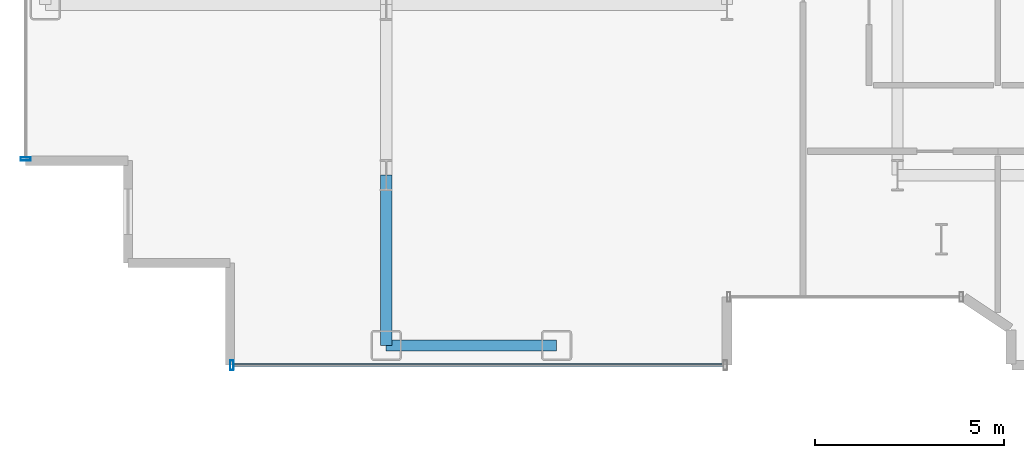
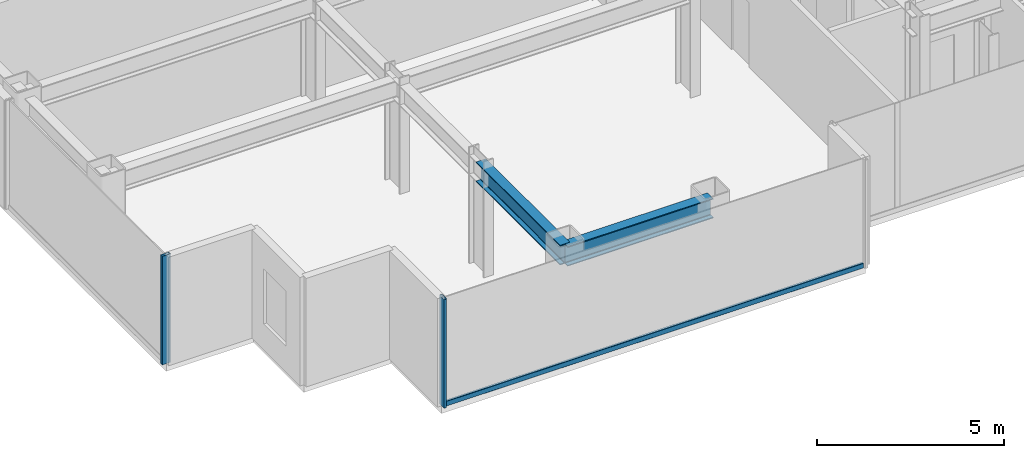
# One storey, part 3 of 26: 3 members, 2 beams, 2 elements without a shape of their own.
"""IFC4 building model written with IfcOpenShell, lengths in metres."""

from ifc_helpers import new_model, si_unit, direction, frame, origin, origin_2d, place, context, subcontext, project, spatial, hollow_rectangle, i_section, extrude, source, transform, mapped, material, layer, layer_set, material_profile, profile_set, type_object, element, aggregate, save


model = new_model("IFC4")

# Units and contexts
model_context = context("Model", 3, precision=1e-05, world=origin(), true_north=direction((0.0, 1.0)))
body_context = subcontext(model_context, "Body", "Model", "MODEL_VIEW")
ifc_project = project(units=[si_unit("LENGTHUNIT", "METRE"), si_unit("AREAUNIT", "SQUARE_METRE"), si_unit("VOLUMEUNIT", "CUBIC_METRE"), si_unit("PLANEANGLEUNIT", "RADIAN"), si_unit("MASSUNIT", "GRAM", prefix="KILO")], contexts=[model_context])

# Site, building, storey
site_placement = place(None, origin())
site = spatial("IfcSite", under=ifc_project, at=site_placement, CompositionType="ELEMENT")
building_placement = place(site_placement, origin())
building = spatial("IfcBuilding", under=site, at=building_placement, Name="Nefas-Gora Pilgrimage Tower", CompositionType="ELEMENT")
storey_placement = place(building_placement, frame((0.0, 0.0, 160.199951171875)))
storey = spatial("IfcBuildingStorey", under=building, at=storey_placement, Name="L39", CompositionType="ELEMENT", Elevation=160.199951171875)

# Beams
ifc_material_1 = material(Name="Steel S355", Category="steel")
ifc_material_profile_1 = material_profile(ifc_material_1, i_section(OverallWidth=0.300048828125, OverallDepth=0.64990234375, WebThickness=0.01611328125, FlangeThickness=0.031005859375, FilletRadius=0.027099609375, at=origin_2d()), Name="HEB 650")
ifc_profile_set_1 = profile_set([ifc_material_profile_1], Name="Steel S355")
beam_type_1 = type_object("IfcBeamType", Name="BM-SPN-HEB500", PredefinedType="SPANDREL", material=ifc_profile_set_1)
shared_shape_1 = source(origin(), body_context, "Body", "SweptSolid", [
    extrude(i_section(OverallWidth=0.300048828125, OverallDepth=0.64990234375, WebThickness=0.01611328125, FlangeThickness=0.031005859375, FilletRadius=0.027099609375, at=origin_2d()), origin(), (0.0, 0.0, 1.0), 4.5),
])
beam_1_placement = place(storey_placement, frame((-24.75, -22.5, 3.22509765625), z_axis=(1.0, 0.0, 0.0), x_axis=(0.0, 1.0, 0.0)))
element("IfcBeam", 1, at=beam_1_placement, inside=storey, type_object=beam_type_1, Name="L39 SP-02 beam", PredefinedType="SPANDREL", context=body_context, shape_type="MappedRepresentation", body=[
    mapped(shared_shape_1, transform((0.0, 0.0, 0.0), x_axis=(1.0, 0.0, 0.0), y_axis=(0.0, 1.0, 0.0), z_axis=(0.0, 0.0, 1.0), scale=1.0)),
])
ifc_material_profile_2 = material_profile(ifc_material_1, i_section(OverallWidth=0.300048828125, OverallDepth=0.64990234375, WebThickness=0.01611328125, FlangeThickness=0.031005859375, FilletRadius=0.027099609375, at=origin_2d()), Name="HEB 650")
ifc_profile_set_2 = profile_set([ifc_material_profile_2], Name="Steel S355")
beam_type_2 = type_object("IfcBeamType", Name="BM-GIR-HEB650", PredefinedType="BEAM", material=ifc_profile_set_2)
shared_shape_2 = source(origin(), body_context, "Body", "SweptSolid", [
    extrude(i_section(OverallWidth=0.300048828125, OverallDepth=0.64990234375, WebThickness=0.01611328125, FlangeThickness=0.031005859375, FilletRadius=0.027099609375, at=origin_2d()), origin(), (0.0, 0.0, 1.0), 4.5),
])
beam_2_placement = place(storey_placement, frame((-24.75, -22.5, 3.22509765625), z_axis=(0.0, 1.0, 0.0), x_axis=(-1.0, 0.0, 0.0)))
element("IfcBeam", 2, at=beam_2_placement, inside=storey, type_object=beam_type_2, Name="L39 G-03 beam", PredefinedType="BEAM", context=body_context, shape_type="MappedRepresentation", body=[
    mapped(shared_shape_2, transform((0.0, 0.0, 0.0), x_axis=(1.0, 0.0, 0.0), y_axis=(0.0, 1.0, 0.0), z_axis=(0.0, 0.0, 1.0), scale=1.0)),
])

# Curtain wall, member
ifc_material_2 = material(Name="Dark ceramic-fritted solar-control aluminium-glass curtain wall", Category="aluminium")
ifc_layer = layer(ifc_material_2, 0.219970703125)
ifc_layer_set = layer_set([ifc_layer], Name="Dark ceramic-fritted solar-control aluminium-glass curtain wall")
curtain_wall_type = type_object("IfcCurtainWallType", Name="CW-SYS-3", PredefinedType="NOTDEFINED", material=ifc_layer_set)
curtain_wall_1_placement = place(storey_placement, origin())
curtain_wall_1 = element("IfcCurtainWall", 3, at=curtain_wall_1_placement, inside=storey, type_object=curtain_wall_type, Name="L39 Unitised Curtain Wall CW3", PredefinedType="NOTDEFINED")
ifc_material_3 = material(Name="Anodised architectural aluminium", Category="aluminium")
ifc_material_profile_3 = material_profile(ifc_material_3, hollow_rectangle(XDim=0.090087890625, YDim=0.260009765625, WallThickness=0.006103515625, InnerFilletRadius=0.006103515625, OuterFilletRadius=0.011962890625, at=origin_2d()), Name="ALU MULLION 90x260")
ifc_profile_set_3 = profile_set([ifc_material_profile_3], Name="Anodised architectural aluminium")
member_type_1 = type_object("IfcMemberType", Name="CWM-MUL-3", PredefinedType="MULLION", material=ifc_profile_set_3)
shared_shape_3 = source(origin(), body_context, "Body", "SweptSolid", [
    extrude(hollow_rectangle(XDim=0.090087890625, YDim=0.260009765625, WallThickness=0.006103515625, InnerFilletRadius=0.006103515625, OuterFilletRadius=0.011962890625, at=origin_2d()), origin(), (0.0, 0.0, 1.0), 3.550048828125),
])
member_1_placement = place(storey_placement, frame((-34.27001953125, -17.574951171875, 0.0), z_axis=(0.0, 0.0, 1.0), x_axis=(0.0, -1.0, 0.0)))
member_1 = element("IfcMember", 4, at=member_1_placement, type_object=member_type_1, Name="CW3 Mullion 2", PredefinedType="MULLION", context=body_context, shape_type="MappedRepresentation", body=[
    mapped(shared_shape_3, transform((0.0, 0.0, 0.0), x_axis=(1.0, 0.0, 0.0), y_axis=(0.0, 1.0, 0.0), z_axis=(0.0, 0.0, 1.0), scale=1.0)),
])
aggregate(curtain_wall_1, [member_1])

# Curtain wall, members
curtain_wall_2_placement = place(storey_placement, origin())
curtain_wall_2 = element("IfcCurtainWall", 5, at=curtain_wall_2_placement, inside=storey, type_object=curtain_wall_type, Name="L39 Unitised Curtain Wall CW3", PredefinedType="NOTDEFINED")
member_2_placement = place(storey_placement, frame((-28.824951171875, -23.02001953125, 0.0), z_axis=(0.0, 0.0, 1.0), x_axis=(1.0, 0.0, 0.0)))
member_2 = element("IfcMember", 6, at=member_2_placement, type_object=member_type_1, Name="CW3 Mullion 1", PredefinedType="MULLION", context=body_context, shape_type="MappedRepresentation", body=[
    mapped(shared_shape_3, transform((0.0, 0.0, 0.0), x_axis=(1.0, 0.0, 0.0), y_axis=(0.0, 1.0, 0.0), z_axis=(0.0, 0.0, 1.0), scale=1.0)),
])
ifc_material_profile_4 = material_profile(ifc_material_3, hollow_rectangle(XDim=0.080078125, YDim=0.159912109375, WallThickness=0.00439453125, InnerFilletRadius=0.00439453125, OuterFilletRadius=0.009033203125, at=origin_2d()), Name="ALU TRANSOM 80x160")
ifc_profile_set_4 = profile_set([ifc_material_profile_4], Name="Anodised architectural aluminium")
member_type_2 = type_object("IfcMemberType", Name="CWM-TRN-3", PredefinedType="USERDEFINED", material=ifc_profile_set_4)
shared_shape_4 = source(origin(), body_context, "Body", "SweptSolid", [
    extrude(hollow_rectangle(XDim=0.080078125, YDim=0.159912109375, WallThickness=0.00439453125, InnerFilletRadius=0.00439453125, OuterFilletRadius=0.009033203125, at=origin_2d()), origin(), (0.0, 0.0, 1.0), 12.93994140625),
])
member_3_placement = place(storey_placement, frame((-28.780029296875, -23.02001953125, 0.050048828125), z_axis=(1.0, 0.0, 0.0), x_axis=(0.0, 1.0, 0.0)))
member_3 = element("IfcMember", 7, at=member_3_placement, type_object=member_type_2, Name="CW3 Spandrel Transom", ObjectType="TRANSOM", PredefinedType="USERDEFINED", context=body_context, shape_type="MappedRepresentation", body=[
    mapped(shared_shape_4, transform((0.0, 0.0, 0.0), x_axis=(1.0, 0.0, 0.0), y_axis=(0.0, 1.0, 0.0), z_axis=(0.0, 0.0, 1.0), scale=1.0)),
])
aggregate(curtain_wall_2, [member_2, member_3])

save(model, "model.ifc")
